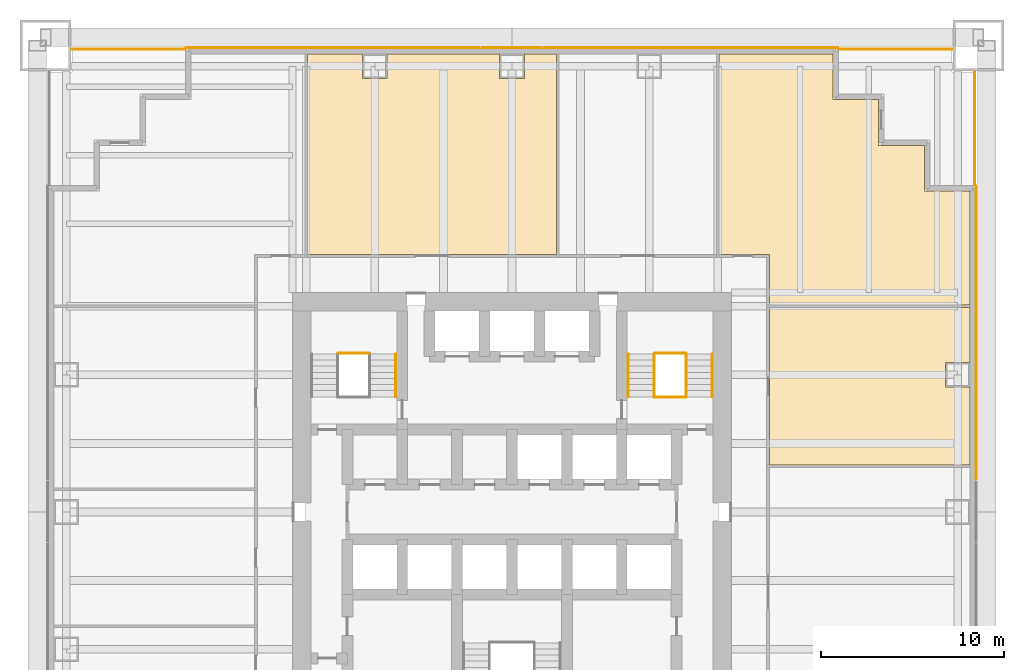
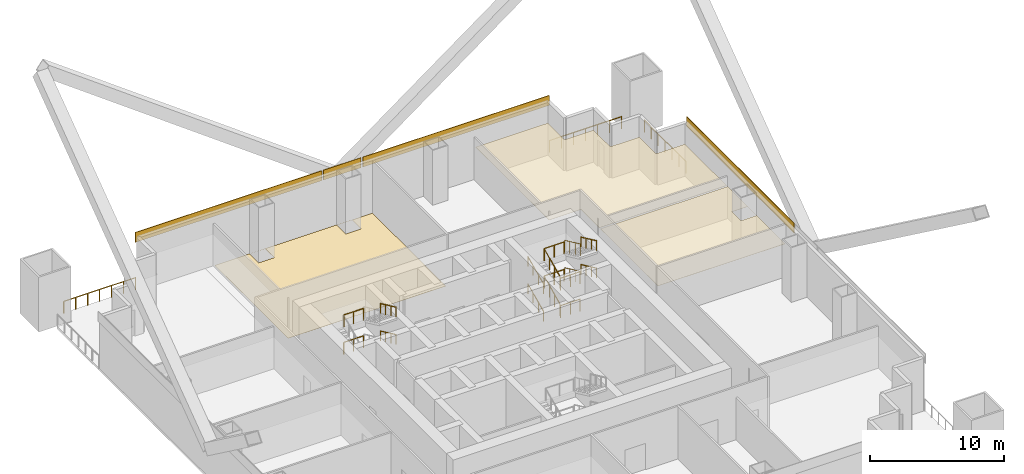
# One storey, part 6 of 6: 19 railings, 7 coverings.
"""IFC4 building model written with IfcOpenShell, lengths in metres."""

import ifcopenshell
import ifcopenshell.guid

model = None  # the IFC model being written
_history = None  # IfcOwnerHistory: only IFC2X3 demands one
_inside = {}  # id of a spatial element -> (the spatial element, [elements in it])
_under = {}  # id of a project, library or spatial element -> (it, [spatial elements below it])
_declared = {}  # id of a project -> (the project, [libraries it declares])
_typed = {}  # id of a type object -> (the type object, [elements of that type])
_made_of = {}  # id of a material, layer set ... -> (it, [elements and type objects made of it])


def new_model(schema):
    """Start an empty IFC model of exactly this schema.

    Asked for "IFC4X3", IfcOpenShell would pick the latest addendum, in which some entities
    have other attributes; the version numbers below select the first issue.
    IFC2X3 requires an IfcOwnerHistory on every rooted entity: one is made here for all.
    """
    global model, _history
    if schema == "IFC4X3":
        model = ifcopenshell.file(schema_version=(4, 3, 0, 0))
    else:
        model = ifcopenshell.file(schema=schema)
    _inside.clear()
    _under.clear()
    _declared.clear()
    _typed.clear()
    _made_of.clear()
    _history = None
    if model.schema == "IFC2X3":
        org = make("IfcOrganization", Name="unknown")
        user = make(
            "IfcPersonAndOrganization",
            ThePerson=make("IfcPerson", FamilyName="unknown"),
            TheOrganization=org,
        )
        app = make(
            "IfcApplication",
            ApplicationDeveloper=org,
            Version="unknown",
            ApplicationFullName="unknown",
            ApplicationIdentifier="unknown",
        )
        _history = make(
            "IfcOwnerHistory",
            OwningUser=user,
            OwningApplication=app,
            ChangeAction="ADDED",
            CreationDate=0,
        )
    return model


def make(cls, **values):
    """One entity of the class cls with the attributes given. An attribute that is None is left unset."""
    return model.create_entity(
        cls, **{name: value for name, value in values.items() if value is not None}
    )


def rooted(cls, **values):
    """An entity with a GlobalId (a new one), such as an element, a storey or a relation."""
    return make(cls, GlobalId=ifcopenshell.guid.new(), OwnerHistory=_history, **values)


def si_unit(unit_type, name, prefix=None):
    """IfcSIUnit, for example si_unit("LENGTHUNIT", "METRE", prefix="MILLI")."""
    return make("IfcSIUnit", UnitType=unit_type, Prefix=prefix, Name=name)


def assignment(units):
    """IfcUnitAssignment: the units of a project."""
    return None if units is None else make("IfcUnitAssignment", Units=units)


def point(xyz):
    """IfcCartesianPoint."""
    return None if xyz is None else make("IfcCartesianPoint", Coordinates=xyz)


def direction(xyz):
    """IfcDirection."""
    return None if xyz is None else make("IfcDirection", DirectionRatios=xyz)


def frame(location, z_axis=None, x_axis=None):
    """IfcAxis2Placement3D, a coordinate frame: its origin and axes. An axis left out is left unset."""
    return make(
        "IfcAxis2Placement3D",
        Location=point(location),
        Axis=direction(z_axis),
        RefDirection=direction(x_axis),
    )


def frame_2d(location, x_axis=None):
    """IfcAxis2Placement2D, a coordinate frame in the plane: its origin and x axis."""
    return make(
        "IfcAxis2Placement2D", Location=point(location), RefDirection=direction(x_axis)
    )


def origin():
    """The frame at (0, 0, 0) with its axes left unset."""
    return frame((0.0, 0.0, 0.0))


def origin_2d():
    """The frame at (0, 0) in the plane with its x axis left unset."""
    return frame_2d((0.0, 0.0))


def place(relative_to, where):
    """IfcLocalPlacement: puts the frame where relative to a parent placement (None: the world)."""
    return make(
        "IfcLocalPlacement", PlacementRelTo=relative_to, RelativePlacement=where
    )


def context(
    kind, dimensions, precision=None, world=None, true_north=None, identifier=None
):
    """IfcGeometricRepresentationContext, for example the 3D "Model" context."""
    return make(
        "IfcGeometricRepresentationContext",
        ContextIdentifier=identifier,
        ContextType=kind,
        CoordinateSpaceDimension=dimensions,
        Precision=precision,
        WorldCoordinateSystem=world,
        TrueNorth=true_north,
    )


def subcontext(parent, identifier, kind, view, scale=None):
    """IfcGeometricRepresentationSubContext, for example "Body" below "Model"."""
    return make(
        "IfcGeometricRepresentationSubContext",
        ContextIdentifier=identifier,
        ContextType=kind,
        ParentContext=parent,
        TargetScale=scale,
        TargetView=view,
    )


def project(units=None, contexts=None):
    """IfcProject with its units and contexts."""
    return rooted(
        "IfcProject",
        Name="project",
        RepresentationContexts=contexts,
        UnitsInContext=assignment(units),
    )


def spatial(cls, under=None, at=None, **own):
    """A site, building, storey or space (cls), placed at a placement, below another one or the project."""
    s = rooted(cls, ObjectPlacement=at, **own)
    if under is not None:
        _under.setdefault(under.id(), (under, []))[1].append(s)
    return s


def polyline(points):
    """IfcPolyline through the points."""
    return make("IfcPolyline", Points=[point(p) for p in points])


def profile(cls, at=None, kind="AREA", **sizes):
    """A parametric profile (cls). Its sizes go by their IFC names, for example OverallWidth=200.0."""
    return make(cls, ProfileType=kind, Position=at, **sizes)


def rectangle(**sizes):
    """IfcRectangleProfileDef."""
    return profile("IfcRectangleProfileDef", **sizes)


def circle(**sizes):
    """IfcCircleProfileDef."""
    return profile("IfcCircleProfileDef", **sizes)


def outline(outer, holes=None, kind="AREA"):
    """IfcArbitraryClosedProfileDef: a profile drawn as a closed curve; with holes, ...WithVoids."""
    if holes is None:
        return make("IfcArbitraryClosedProfileDef", ProfileType=kind, OuterCurve=outer)
    return make(
        "IfcArbitraryProfileDefWithVoids",
        ProfileType=kind,
        OuterCurve=outer,
        InnerCurves=holes,
    )


def extrude(swept, where, along, depth):
    """IfcExtrudedAreaSolid: the profile swept, set in the frame where, extruded along a direction by depth."""
    return make(
        "IfcExtrudedAreaSolid",
        SweptArea=swept,
        Position=where,
        ExtrudedDirection=direction(along),
        Depth=depth,
    )


def shape(context_of_items, identifier, shape_type, items):
    """IfcShapeRepresentation: the items that make up one representation, for example the "Body"."""
    return make(
        "IfcShapeRepresentation",
        ContextOfItems=context_of_items,
        RepresentationIdentifier=identifier,
        RepresentationType=shape_type,
        Items=items,
    )


def material(Name=None, Category=None):
    """IfcMaterial."""
    return make("IfcMaterial", Name=Name, Category=Category)


def layer(
    of_material, thickness, ventilated=None, Name=None, Category=None, Priority=None
):
    """IfcMaterialLayer: one layer of a wall or slab, of a material (None: an air gap)."""
    return make(
        "IfcMaterialLayer",
        Material=of_material,
        LayerThickness=thickness,
        IsVentilated=ventilated,
        Name=Name,
        Category=Category,
        Priority=Priority,
    )


def layer_set(layers, Name=None):
    """IfcMaterialLayerSet."""
    return make("IfcMaterialLayerSet", MaterialLayers=layers, LayerSetName=Name)


def made_of(thing, what):
    """Note that an element or type object is made of a material, layer set ...; save() writes the relation."""
    if what is not None:
        _made_of.setdefault(what.id(), (what, []))[1].append(thing)
    return thing


def type_object(cls, material=None, **own):
    """A type object (cls), such as IfcWallType, which elements share."""
    return made_of(rooted(cls, **own), material)


def element(
    cls,
    number,
    at=None,
    inside=None,
    cuts=None,
    type_object=None,
    material=None,
    context=None,
    identifier="Body",
    shape_type=None,
    held_by="IfcProductDefinitionShape",
    body=None,
    shapes=None,
    **own,
):
    """One element of the class cls, such as IfcWall. Its Tag is "e" and its number.

    at: its placement. inside: the storey or other place that contains it. cuts: it is an
    opening in that element (IfcRelVoidsElement). A single representation is given by context,
    identifier, shape_type and body (its items); several are given by shapes. held_by: the class
    of the entity that holds the representations. save() writes the other relations.
    """
    e = rooted(cls, Tag="e%d" % number, ObjectPlacement=at, **own)
    if body is not None:
        shapes = [shape(context, identifier, shape_type, body)]
    if shapes is not None:
        e.Representation = make(held_by, Representations=shapes)
    if inside is not None:
        _inside.setdefault(inside.id(), (inside, []))[1].append(e)
    if cuts is not None:
        rooted(
            "IfcRelVoidsElement", RelatingBuildingElement=cuts, RelatedOpeningElement=e
        )
    if type_object is not None:
        _typed.setdefault(type_object.id(), (type_object, []))[1].append(e)
    return made_of(e, material)


def aggregate(whole, parts):
    """IfcRelAggregates: a whole, such as a stair, and the parts it consists of."""
    return rooted("IfcRelAggregates", RelatingObject=whole, RelatedObjects=parts)


def save(model, path):
    """Write the relations noted so far, then the file.

    IfcRelAggregates (storeys below a building ...), IfcRelContainedInSpatialStructure (elements
    in a storey), IfcRelDefinesByType, IfcRelAssociatesMaterial and IfcRelDeclares: one each for
    every whole, place, type object, material and project.
    """
    for whole, parts in _under.values():
        aggregate(whole, parts)
    for where, things in _inside.values():
        rooted(
            "IfcRelContainedInSpatialStructure",
            RelatedElements=things,
            RelatingStructure=where,
        )
    for kind, things in _typed.values():
        rooted("IfcRelDefinesByType", RelatedObjects=things, RelatingType=kind)
    for what, things in _made_of.values():
        rooted("IfcRelAssociatesMaterial", RelatedObjects=things, RelatingMaterial=what)
    for by, libraries in _declared.values():
        rooted("IfcRelDeclares", RelatingContext=by, RelatedDefinitions=libraries)
    model.write(path)


model = new_model("IFC4")

# Units and contexts
model_context = context("Model", 3, precision=1e-05, world=origin(), true_north=direction((0.0, 1.0)))
body_context = subcontext(model_context, "Body", "Model", "MODEL_VIEW")
ifc_project = project(units=[si_unit("LENGTHUNIT", "METRE"), si_unit("AREAUNIT", "SQUARE_METRE"), si_unit("VOLUMEUNIT", "CUBIC_METRE"), si_unit("PLANEANGLEUNIT", "RADIAN"), si_unit("MASSUNIT", "GRAM", prefix="KILO")], contexts=[model_context])

# Site, building, storey
site_placement = place(None, origin())
site = spatial("IfcSite", under=ifc_project, at=site_placement, CompositionType="ELEMENT")
building_placement = place(site_placement, origin())
building = spatial("IfcBuilding", under=site, at=building_placement, Name="Tarangal Relay Tower", CompositionType="ELEMENT")
storey_placement = place(building_placement, frame((0.0, 0.0, 38.39990234375)))
storey = spatial("IfcBuildingStorey", under=building, at=storey_placement, Name="L07", CompositionType="ELEMENT", Elevation=38.39990234375)

# Coverings
ifc_material_1 = material(Name="Anti-static vinyl flooring", Category="plastic")
ifc_layer_1 = layer(ifc_material_1, 0.010009765625)
ifc_layer_set_1 = layer_set([ifc_layer_1], Name="Anti-static vinyl floor")
covering_type_1 = type_object("IfcCoveringType", Name="Anti-static vinyl floor", PredefinedType="FLOORING", material=ifc_layer_set_1)
covering_1_placement = place(storey_placement, origin())
element("IfcCovering", 1, at=covering_1_placement, inside=storey, type_object=covering_type_1, Name="Floor finish FL1 L07-02", PredefinedType="FLOORING", context=body_context, shape_type="SweptSolid", body=[
    extrude(outline(polyline([(2.425048828125, 25.050048828125), (-11.175048828125, 25.050048828125), (-11.175048828125, 14.074951171875), (2.425048828125, 14.074951171875), (2.425048828125, 25.050048828125)]), holes=[polyline([(-6.824951171875, 23.68994140625), (-6.824951171875, 25.0400390625), (-8.175048828125, 25.0400390625), (-8.175048828125, 23.68994140625), (-6.824951171875, 23.68994140625)]), polyline([(0.675048828125, 23.68994140625), (0.675048828125, 25.0400390625), (-0.675048828125, 25.0400390625), (-0.675048828125, 23.68994140625), (0.675048828125, 23.68994140625)])]), origin(), (0.0, 0.0, 1.0), 0.010009765625),
])
ifc_material_2 = material(Name="Black anodised aluminium cladding", Category="aluminium")
ifc_layer_2 = layer(ifc_material_2, 0.050048828125)
ifc_layer_set_2 = layer_set([ifc_layer_2], Name="Black metal spandrel band")
covering_type_2 = type_object("IfcCoveringType", Name="Black metal spandrel band", PredefinedType="CLADDING", material=ifc_layer_set_2)
covering_2_placement = place(storey_placement, frame((-9.81005859375, 25.375, 4.250244140625), z_axis=(0.0, 0.0, 1.0), x_axis=(1.0, 0.0, 0.0)))
element("IfcCovering", 2, at=covering_2_placement, inside=storey, type_object=covering_type_2, Name="Spandrel band SB1 N L07", PredefinedType="CLADDING", context=body_context, shape_type="SweptSolid", body=[
    extrude(rectangle(XDim=16.080078125, YDim=0.050048828125, at=origin_2d()), origin(), (0.0, 0.0, 1.0), 0.89990234375),
])
covering_3_placement = place(storey_placement, frame((0.0, 25.375, 4.250244140625), z_axis=(0.0, 0.0, 1.0), x_axis=(1.0, 0.0, 0.0)))
element("IfcCovering", 3, at=covering_3_placement, inside=storey, type_object=covering_type_2, Name="Spandrel band SB1 N L07", PredefinedType="CLADDING", context=body_context, shape_type="SweptSolid", body=[
    extrude(rectangle(XDim=3.260009765625, YDim=0.050048828125, at=origin_2d()), origin(), (0.0, 0.0, 1.0), 0.89990234375),
])
for number, where, z_axis, x_axis, name in (
    (4, (9.81005859375, 25.375, 4.250244140625), (0.0, 0.0, 1.0), (1.0, 0.0, 0.0), "Spandrel band SB1 N L07"),
    (5, (25.375, 9.81005859375, 4.250244140625), (0.0, 0.0, 1.0), (0.0, -1.0, 0.0), "Spandrel band SB1 E L07"),
):
    element("IfcCovering", number, at=place(storey_placement, frame(where, z_axis=z_axis, x_axis=x_axis)), inside=storey, type_object=covering_type_2, Name=name, PredefinedType="CLADDING", context=body_context, shape_type="SweptSolid", body=[
        extrude(rectangle(XDim=16.080078125, YDim=0.050048828125, at=origin_2d()), origin(), (0.0, 0.0, 1.0), 0.89990234375),
    ])

# Railings
ifc_material_3 = material(Name="Steel guard, black finish", Category="steel")
railing_type_1 = type_object("IfcRailingType", Name="Stair guard 1100", PredefinedType="GUARDRAIL", material=ifc_material_3)
for number, where, name in (
    (6, (-9.5, 8.675048828125, 1.25), "Stair ST-A landing guard GR1 L07"),
    (7, (-9.5, 8.675048828125, 3.75), "Stair ST-A landing guard GR1 L07"),
):
    element("IfcRailing", number, at=place(storey_placement, frame(where)), inside=storey, type_object=railing_type_1, Name=name, PredefinedType="GUARDRAIL", context=body_context, shape_type="SweptSolid", body=[
        extrude(circle(Radius=0.02392578125, at=origin_2d()), frame((0.0, 0.0, 1.076171875), z_axis=(1.0, 0.0, 0.0), x_axis=(0.0, 1.0, 0.0)), (0.0, 0.0, 1.0), 1.699951171875),
        extrude(circle(Radius=0.02099609375, at=origin_2d()), origin(), (0.0, 0.0, 1.0), 1.052001953125),
        extrude(circle(Radius=0.02099609375, at=origin_2d()), frame((0.85009765625, 0.0, 0.0)), (0.0, 0.0, 1.0), 1.052001953125),
        extrude(circle(Radius=0.02099609375, at=origin_2d()), frame((1.699951171875, 0.0, 0.0)), (0.0, 0.0, 1.0), 1.052001953125),
    ])
railing_1_placement = place(storey_placement, frame((7.77001953125, 6.300048828125, 0.15625)))
element("IfcRailing", 8, at=railing_1_placement, inside=storey, type_object=railing_type_1, Name="Stair ST-B guard GR1 L07 flight 1", PredefinedType="GUARDRAIL", context=body_context, shape_type="SweptSolid", body=[
    extrude(circle(Radius=0.02392578125, at=origin_2d()), frame((0.0, 0.0, 1.076171875), z_axis=(0.0, 0.90626748934, 0.422704669676), x_axis=(-1.0, 0.0, 0.0)), (0.0, 0.0, 1.0), 2.58740234375),
    extrude(circle(Radius=0.02099609375, at=origin_2d()), origin(), (0.0, 0.0, 1.0), 1.052001953125),
    extrude(circle(Radius=0.02099609375, at=origin_2d()), frame((0.0, 0.78173828125, 0.364501953125)), (0.0, 0.0, 1.0), 1.052001953125),
    extrude(circle(Radius=0.02099609375, at=origin_2d()), frame((0.0, 1.563232421875, 0.729248046875)), (0.0, 0.0, 1.0), 1.052001953125),
    extrude(circle(Radius=0.02099609375, at=origin_2d()), frame((0.0, 2.344970703125, 1.09375)), (0.0, 0.0, 1.0), 1.052001953125),
])
railing_2_placement = place(storey_placement, frame((9.530029296875, 8.64501953125, 1.40625)))
element("IfcRailing", 9, at=railing_2_placement, inside=storey, type_object=railing_type_1, Name="Stair ST-B guard GR1 L07 flight 2", PredefinedType="GUARDRAIL", context=body_context, shape_type="SweptSolid", body=[
    extrude(circle(Radius=0.02392578125, at=origin_2d()), frame((0.0, 0.0, 1.076171875), z_axis=(0.0, -0.90626748934, 0.422704669676), x_axis=(1.0, 0.0, 0.0)), (0.0, 0.0, 1.0), 2.58740234375),
    extrude(circle(Radius=0.02099609375, at=origin_2d()), origin(), (0.0, 0.0, 1.0), 1.052001953125),
    extrude(circle(Radius=0.02099609375, at=origin_2d()), frame((0.0, -0.78173828125, 0.364501953125)), (0.0, 0.0, 1.0), 1.052001953125),
    extrude(circle(Radius=0.02099609375, at=origin_2d()), frame((0.0, -1.563232421875, 0.729248046875)), (0.0, 0.0, 1.0), 1.052001953125),
    extrude(circle(Radius=0.02099609375, at=origin_2d()), frame((0.0, -2.344970703125, 1.09375)), (0.0, 0.0, 1.0), 1.052001953125),
])
railing_3_placement = place(storey_placement, frame((7.77001953125, 6.300048828125, 2.65625)))
element("IfcRailing", 10, at=railing_3_placement, inside=storey, type_object=railing_type_1, Name="Stair ST-B guard GR1 L07 flight 3", PredefinedType="GUARDRAIL", context=body_context, shape_type="SweptSolid", body=[
    extrude(circle(Radius=0.02392578125, at=origin_2d()), frame((0.0, 0.0, 1.076171875), z_axis=(0.0, 0.90626748934, 0.422704669676), x_axis=(-1.0, 0.0, 0.0)), (0.0, 0.0, 1.0), 2.58740234375),
    extrude(circle(Radius=0.02099609375, at=origin_2d()), origin(), (0.0, 0.0, 1.0), 1.052001953125),
    extrude(circle(Radius=0.02099609375, at=origin_2d()), frame((0.0, 0.78173828125, 0.364501953125)), (0.0, 0.0, 1.0), 1.052001953125),
    extrude(circle(Radius=0.02099609375, at=origin_2d()), frame((0.0, 1.563232421875, 0.729248046875)), (0.0, 0.0, 1.0), 1.052001953125),
    extrude(circle(Radius=0.02099609375, at=origin_2d()), frame((0.0, 2.344970703125, 1.09375)), (0.0, 0.0, 1.0), 1.052001953125),
])
railing_4_placement = place(storey_placement, frame((9.530029296875, 8.64501953125, 3.90625)))
element("IfcRailing", 11, at=railing_4_placement, inside=storey, type_object=railing_type_1, Name="Stair ST-B guard GR1 L07 flight 4", PredefinedType="GUARDRAIL", context=body_context, shape_type="SweptSolid", body=[
    extrude(circle(Radius=0.02392578125, at=origin_2d()), frame((0.0, 0.0, 1.076171875), z_axis=(0.0, -0.90626748934, 0.422704669676), x_axis=(1.0, 0.0, 0.0)), (0.0, 0.0, 1.0), 2.58740234375),
    extrude(circle(Radius=0.02099609375, at=origin_2d()), origin(), (0.0, 0.0, 1.0), 1.052001953125),
    extrude(circle(Radius=0.02099609375, at=origin_2d()), frame((0.0, -0.78173828125, 0.364501953125)), (0.0, 0.0, 1.0), 1.052001953125),
    extrude(circle(Radius=0.02099609375, at=origin_2d()), frame((0.0, -1.563232421875, 0.729248046875)), (0.0, 0.0, 1.0), 1.052001953125),
    extrude(circle(Radius=0.02099609375, at=origin_2d()), frame((0.0, -2.344970703125, 1.09375)), (0.0, 0.0, 1.0), 1.052001953125),
])
for number, where, name in (
    (12, (7.800048828125, 6.27001953125, 0.0), "Stair ST-B landing guard GR1 L07"),
    (13, (7.800048828125, 8.675048828125, 1.25), "Stair ST-B landing guard GR1 L07"),
    (14, (7.800048828125, 6.27001953125, 2.5), "Stair ST-B landing guard GR1 L07"),
    (15, (7.800048828125, 8.675048828125, 3.75), "Stair ST-B landing guard GR1 L07"),
):
    element("IfcRailing", number, at=place(storey_placement, frame(where)), inside=storey, type_object=railing_type_1, Name=name, PredefinedType="GUARDRAIL", context=body_context, shape_type="SweptSolid", body=[
        extrude(circle(Radius=0.02392578125, at=origin_2d()), frame((0.0, 0.0, 1.076171875), z_axis=(1.0, 0.0, 0.0), x_axis=(0.0, 1.0, 0.0)), (0.0, 0.0, 1.0), 1.699951171875),
        extrude(circle(Radius=0.02099609375, at=origin_2d()), origin(), (0.0, 0.0, 1.0), 1.052001953125),
        extrude(circle(Radius=0.02099609375, at=origin_2d()), frame((0.85009765625, 0.0, 0.0)), (0.0, 0.0, 1.0), 1.052001953125),
        extrude(circle(Radius=0.02099609375, at=origin_2d()), frame((1.699951171875, 0.0, 0.0)), (0.0, 0.0, 1.0), 1.052001953125),
    ])
ifc_material_4 = material(Name="Steel handrail, black finish", Category="steel")
railing_type_2 = type_object("IfcRailingType", Name="Stair handrail 900", PredefinedType="HANDRAIL", material=ifc_material_4)
for number, where, name in (
    (16, (-6.360107421875, 8.64501953125, 1.40625), "Stair ST-A handrail HR1 L07 flight 2"),
    (17, (-6.360107421875, 8.64501953125, 3.90625), "Stair ST-A handrail HR1 L07 flight 4"),
):
    element("IfcRailing", number, at=place(storey_placement, frame(where)), inside=storey, type_object=railing_type_2, Name=name, PredefinedType="HANDRAIL", context=body_context, shape_type="SweptSolid", body=[
        extrude(circle(Radius=0.02392578125, at=origin_2d()), frame((0.0, 0.0, 0.8759765625), z_axis=(0.0, -0.90626748934, 0.422704669676), x_axis=(1.0, 0.0, 0.0)), (0.0, 0.0, 1.0), 2.58740234375),
        extrude(circle(Radius=0.02099609375, at=origin_2d()), origin(), (0.0, 0.0, 1.0), 0.851806640625),
        extrude(circle(Radius=0.02099609375, at=origin_2d()), frame((0.0, -0.78173828125, 0.364501953125)), (0.0, 0.0, 1.0), 0.851806640625),
        extrude(circle(Radius=0.02099609375, at=origin_2d()), frame((0.0, -1.563232421875, 0.729248046875)), (0.0, 0.0, 1.0), 0.851806640625),
        extrude(circle(Radius=0.02099609375, at=origin_2d()), frame((0.0, -2.344970703125, 1.09375)), (0.0, 0.0, 1.0), 0.851806640625),
    ])
railing_5_placement = place(storey_placement, frame((6.360107421875, 6.300048828125, 0.15625)))
element("IfcRailing", 18, at=railing_5_placement, inside=storey, type_object=railing_type_2, Name="Stair ST-B handrail HR1 L07 flight 1", PredefinedType="HANDRAIL", context=body_context, shape_type="SweptSolid", body=[
    extrude(circle(Radius=0.02392578125, at=origin_2d()), frame((0.0, 0.0, 0.8759765625), z_axis=(0.0, 0.90626748934, 0.422704669676), x_axis=(-1.0, 0.0, 0.0)), (0.0, 0.0, 1.0), 2.58740234375),
    extrude(circle(Radius=0.02099609375, at=origin_2d()), origin(), (0.0, 0.0, 1.0), 0.851806640625),
    extrude(circle(Radius=0.02099609375, at=origin_2d()), frame((0.0, 0.78173828125, 0.364501953125)), (0.0, 0.0, 1.0), 0.851806640625),
    extrude(circle(Radius=0.02099609375, at=origin_2d()), frame((0.0, 1.563232421875, 0.729248046875)), (0.0, 0.0, 1.0), 0.851806640625),
    extrude(circle(Radius=0.02099609375, at=origin_2d()), frame((0.0, 2.344970703125, 1.09375)), (0.0, 0.0, 1.0), 0.851806640625),
])
railing_6_placement = place(storey_placement, frame((10.93994140625, 8.64501953125, 1.40625)))
element("IfcRailing", 19, at=railing_6_placement, inside=storey, type_object=railing_type_2, Name="Stair ST-B handrail HR1 L07 flight 2", PredefinedType="HANDRAIL", context=body_context, shape_type="SweptSolid", body=[
    extrude(circle(Radius=0.02392578125, at=origin_2d()), frame((0.0, 0.0, 0.8759765625), z_axis=(0.0, -0.90626748934, 0.422704669676), x_axis=(1.0, 0.0, 0.0)), (0.0, 0.0, 1.0), 2.58740234375),
    extrude(circle(Radius=0.02099609375, at=origin_2d()), origin(), (0.0, 0.0, 1.0), 0.851806640625),
    extrude(circle(Radius=0.02099609375, at=origin_2d()), frame((0.0, -0.78173828125, 0.364501953125)), (0.0, 0.0, 1.0), 0.851806640625),
    extrude(circle(Radius=0.02099609375, at=origin_2d()), frame((0.0, -1.563232421875, 0.729248046875)), (0.0, 0.0, 1.0), 0.851806640625),
    extrude(circle(Radius=0.02099609375, at=origin_2d()), frame((0.0, -2.344970703125, 1.09375)), (0.0, 0.0, 1.0), 0.851806640625),
])
railing_7_placement = place(storey_placement, frame((6.360107421875, 6.300048828125, 2.65625)))
element("IfcRailing", 20, at=railing_7_placement, inside=storey, type_object=railing_type_2, Name="Stair ST-B handrail HR1 L07 flight 3", PredefinedType="HANDRAIL", context=body_context, shape_type="SweptSolid", body=[
    extrude(circle(Radius=0.02392578125, at=origin_2d()), frame((0.0, 0.0, 0.8759765625), z_axis=(0.0, 0.90626748934, 0.422704669676), x_axis=(-1.0, 0.0, 0.0)), (0.0, 0.0, 1.0), 2.58740234375),
    extrude(circle(Radius=0.02099609375, at=origin_2d()), origin(), (0.0, 0.0, 1.0), 0.851806640625),
    extrude(circle(Radius=0.02099609375, at=origin_2d()), frame((0.0, 0.78173828125, 0.364501953125)), (0.0, 0.0, 1.0), 0.851806640625),
    extrude(circle(Radius=0.02099609375, at=origin_2d()), frame((0.0, 1.563232421875, 0.729248046875)), (0.0, 0.0, 1.0), 0.851806640625),
    extrude(circle(Radius=0.02099609375, at=origin_2d()), frame((0.0, 2.344970703125, 1.09375)), (0.0, 0.0, 1.0), 0.851806640625),
])
railing_8_placement = place(storey_placement, frame((10.93994140625, 8.64501953125, 3.90625)))
element("IfcRailing", 21, at=railing_8_placement, inside=storey, type_object=railing_type_2, Name="Stair ST-B handrail HR1 L07 flight 4", PredefinedType="HANDRAIL", context=body_context, shape_type="SweptSolid", body=[
    extrude(circle(Radius=0.02392578125, at=origin_2d()), frame((0.0, 0.0, 0.8759765625), z_axis=(0.0, -0.90626748934, 0.422704669676), x_axis=(1.0, 0.0, 0.0)), (0.0, 0.0, 1.0), 2.58740234375),
    extrude(circle(Radius=0.02099609375, at=origin_2d()), origin(), (0.0, 0.0, 1.0), 0.851806640625),
    extrude(circle(Radius=0.02099609375, at=origin_2d()), frame((0.0, -0.78173828125, 0.364501953125)), (0.0, 0.0, 1.0), 0.851806640625),
    extrude(circle(Radius=0.02099609375, at=origin_2d()), frame((0.0, -1.563232421875, 0.729248046875)), (0.0, 0.0, 1.0), 0.851806640625),
    extrude(circle(Radius=0.02099609375, at=origin_2d()), frame((0.0, -2.344970703125, 1.09375)), (0.0, 0.0, 1.0), 0.851806640625),
])

# Coverings
ifc_material_5 = material(Name="Mineral fibre ceiling tiles", Category="gypsum")
ifc_layer_3 = layer(ifc_material_5, 0.02001953125)
ifc_layer_set_3 = layer_set([ifc_layer_3], Name="Suspended ceiling")
covering_type_3 = type_object("IfcCoveringType", Name="Suspended ceiling", PredefinedType="CEILING", material=ifc_layer_set_3)
covering_4_placement = place(storey_placement, frame((0.0, 0.0, 2.900146484375)))
element("IfcCovering", 22, at=covering_4_placement, inside=storey, type_object=covering_type_3, Name="Suspended ceiling CL1 L07-04", PredefinedType="CEILING", context=body_context, shape_type="SweptSolid", body=[
    extrude(outline(polyline([(25.050048828125, 2.574951171875), (25.050048828125, 11.175048828125), (14.074951171875, 11.175048828125), (14.074951171875, 2.574951171875), (25.050048828125, 2.574951171875)]), holes=[polyline([(25.0400390625, 8.175048828125), (23.68994140625, 8.175048828125), (23.68994140625, 6.824951171875), (25.0400390625, 6.824951171875), (25.0400390625, 8.175048828125)])]), origin(), (0.0, 0.0, 1.0), 0.02001953125),
])
covering_5_placement = place(storey_placement, frame((0.0, 0.0, 2.900146484375)))
element("IfcCovering", 23, at=covering_5_placement, inside=storey, type_object=covering_type_3, Name="Suspended ceiling CL1 L07-12", PredefinedType="CEILING", context=body_context, shape_type="SweptSolid", body=[
    extrude(outline(polyline([(17.550048828125, 25.050048828125), (11.324951171875, 25.050048828125), (11.324951171875, 14.074951171875), (14.074951171875, 14.074951171875), (14.074951171875, 11.324951171875), (25.050048828125, 11.324951171875), (25.050048828125, 17.550048828125), (22.550048828125, 17.550048828125), (22.550048828125, 20.050048828125), (20.050048828125, 20.050048828125), (20.050048828125, 22.550048828125), (17.550048828125, 22.550048828125), (17.550048828125, 25.050048828125)])), origin(), (0.0, 0.0, 1.0), 0.02001953125),
])

# Railings
ifc_material_6 = material(Name="Black steel guard with glass infill", Category="steel")
railing_type_3 = type_object("IfcRailingType", Name="Terrace guard 1100", PredefinedType="GUARDRAIL", material=ifc_material_6)
railing_9_placement = place(storey_placement, frame((17.85009765625, 25.300048828125, 0.0)))
element("IfcRailing", 24, at=railing_9_placement, inside=storey, type_object=railing_type_3, Name="Terrace guard GR2 NE L07", PredefinedType="GUARDRAIL", context=body_context, shape_type="SweptSolid", body=[
    extrude(circle(Radius=0.02392578125, at=origin_2d()), frame((0.0, 0.0, 1.076171875), z_axis=(1.0, 0.0, 0.0), x_axis=(0.0, 1.0, 0.0)), (0.0, 0.0, 1.0), 6.199951171875),
    extrude(circle(Radius=0.02099609375, at=origin_2d()), origin(), (0.0, 0.0, 1.0), 1.052001953125),
    extrude(circle(Radius=0.02099609375, at=origin_2d()), frame((1.033203125, 0.0, 0.0)), (0.0, 0.0, 1.0), 1.052001953125),
    extrude(circle(Radius=0.02099609375, at=origin_2d()), frame((2.066650390625, 0.0, 0.0)), (0.0, 0.0, 1.0), 1.052001953125),
    extrude(circle(Radius=0.02099609375, at=origin_2d()), frame((3.10009765625, 0.0, 0.0)), (0.0, 0.0, 1.0), 1.052001953125),
    extrude(circle(Radius=0.02099609375, at=origin_2d()), frame((4.13330078125, 0.0, 0.0)), (0.0, 0.0, 1.0), 1.052001953125),
    extrude(circle(Radius=0.02099609375, at=origin_2d()), frame((5.16650390625, 0.0, 0.0)), (0.0, 0.0, 1.0), 1.052001953125),
    extrude(circle(Radius=0.02099609375, at=origin_2d()), frame((6.199951171875, 0.0, 0.0)), (0.0, 0.0, 1.0), 1.052001953125),
])
railing_10_placement = place(storey_placement, frame((25.300048828125, 24.050048828125, 0.0)))
element("IfcRailing", 25, at=railing_10_placement, inside=storey, type_object=railing_type_3, Name="Terrace guard GR2 NE L07", PredefinedType="GUARDRAIL", context=body_context, shape_type="SweptSolid", body=[
    extrude(circle(Radius=0.02392578125, at=origin_2d()), frame((0.0, 0.0, 1.076171875), z_axis=(0.0, -1.0, 0.0), x_axis=(1.0, 0.0, 0.0)), (0.0, 0.0, 1.0), 6.199951171875),
    extrude(circle(Radius=0.02099609375, at=origin_2d()), origin(), (0.0, 0.0, 1.0), 1.052001953125),
    extrude(circle(Radius=0.02099609375, at=origin_2d()), frame((0.0, -1.033203125, 0.0)), (0.0, 0.0, 1.0), 1.052001953125),
    extrude(circle(Radius=0.02099609375, at=origin_2d()), frame((0.0, -2.066650390625, 0.0)), (0.0, 0.0, 1.0), 1.052001953125),
    extrude(circle(Radius=0.02099609375, at=origin_2d()), frame((0.0, -3.10009765625, 0.0)), (0.0, 0.0, 1.0), 1.052001953125),
    extrude(circle(Radius=0.02099609375, at=origin_2d()), frame((0.0, -4.13330078125, 0.0)), (0.0, 0.0, 1.0), 1.052001953125),
    extrude(circle(Radius=0.02099609375, at=origin_2d()), frame((0.0, -5.16650390625, 0.0)), (0.0, 0.0, 1.0), 1.052001953125),
    extrude(circle(Radius=0.02099609375, at=origin_2d()), frame((0.0, -6.199951171875, 0.0)), (0.0, 0.0, 1.0), 1.052001953125),
])
railing_11_placement = place(storey_placement, frame((-24.050048828125, 25.300048828125, 0.0)))
element("IfcRailing", 26, at=railing_11_placement, inside=storey, type_object=railing_type_3, Name="Terrace guard GR2 NW L07", PredefinedType="GUARDRAIL", context=body_context, shape_type="SweptSolid", body=[
    extrude(circle(Radius=0.02392578125, at=origin_2d()), frame((0.0, 0.0, 1.076171875), z_axis=(1.0, 0.0, 0.0), x_axis=(0.0, 1.0, 0.0)), (0.0, 0.0, 1.0), 6.199951171875),
    extrude(circle(Radius=0.02099609375, at=origin_2d()), origin(), (0.0, 0.0, 1.0), 1.052001953125),
    extrude(circle(Radius=0.02099609375, at=origin_2d()), frame((1.033203125, 0.0, 0.0)), (0.0, 0.0, 1.0), 1.052001953125),
    extrude(circle(Radius=0.02099609375, at=origin_2d()), frame((2.066650390625, 0.0, 0.0)), (0.0, 0.0, 1.0), 1.052001953125),
    extrude(circle(Radius=0.02099609375, at=origin_2d()), frame((3.10009765625, 0.0, 0.0)), (0.0, 0.0, 1.0), 1.052001953125),
    extrude(circle(Radius=0.02099609375, at=origin_2d()), frame((4.13330078125, 0.0, 0.0)), (0.0, 0.0, 1.0), 1.052001953125),
    extrude(circle(Radius=0.02099609375, at=origin_2d()), frame((5.16650390625, 0.0, 0.0)), (0.0, 0.0, 1.0), 1.052001953125),
    extrude(circle(Radius=0.02099609375, at=origin_2d()), frame((6.199951171875, 0.0, 0.0)), (0.0, 0.0, 1.0), 1.052001953125),
])

save(model, "model.ifc")
